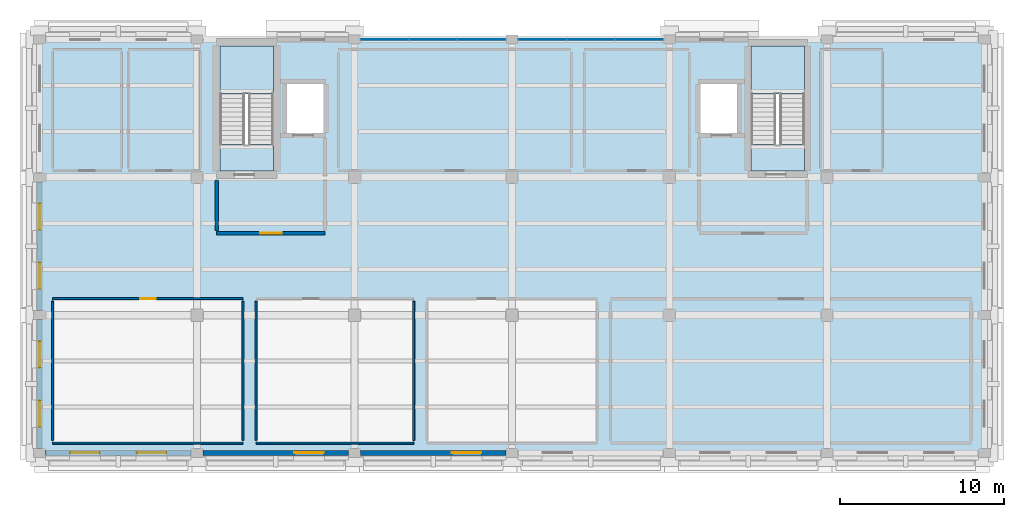
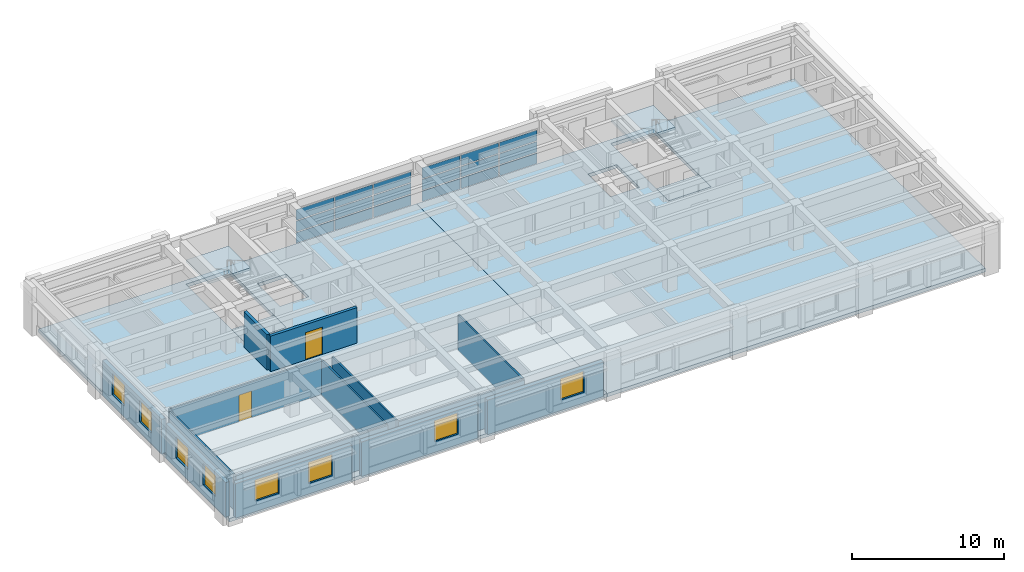
# One storey, part 5 of 12: 18 plates, 14 walls, 8 windows, 6 slabs, 2 doors, 10 openings, 4 elements without a shape of their own.
"""IFC4 building model written with IfcOpenShell, lengths in metres."""

from ifc_helpers import new_model, si_unit, direction, frame, frame_2d, origin, origin_2d, place, context, subcontext, project, spatial, polyline, rectangle, outline, extrude, material, layer, layer_set, type_object, element, fill, aggregate, save


model = new_model("IFC4")

# Units and contexts
model_context = context("Model", 3, precision=1e-05, world=origin(), true_north=direction((0.0, 1.0)))
body_context = subcontext(model_context, "Body", "Model", "MODEL_VIEW")
ifc_project = project(units=[si_unit("LENGTHUNIT", "METRE"), si_unit("AREAUNIT", "SQUARE_METRE"), si_unit("VOLUMEUNIT", "CUBIC_METRE"), si_unit("PLANEANGLEUNIT", "RADIAN"), si_unit("MASSUNIT", "GRAM", prefix="KILO")], contexts=[model_context])

# Site, building, storey
site_placement = place(None, origin())
site = spatial("IfcSite", under=ifc_project, at=site_placement, CompositionType="ELEMENT")
building_placement = place(site_placement, origin())
building = spatial("IfcBuilding", under=site, at=building_placement, Name="Bempovik Park Faculty of Sciences", CompositionType="ELEMENT")
storey_placement = place(building_placement, frame((0.0, 0.0, 34.5)))
storey = spatial("IfcBuildingStorey", under=building, at=storey_placement, Name="L08", CompositionType="ELEMENT", Elevation=34.5)

# Curtain wall, plates
ifc_material_1 = material(Name="Tempered laminated low-E glass", Category="glass")
ifc_layer_1 = layer(ifc_material_1, 0.159912109375)
ifc_layer_set_1 = layer_set([ifc_layer_1], Name="Tempered laminated low-E glass")
curtain_wall_type = type_object("IfcCurtainWallType", Name="CW-24 Curtain 7000x3500", PredefinedType="USERDEFINED", material=ifc_layer_set_1)
curtain_wall_1_placement = place(storey_placement, origin())
curtain_wall_1 = element("IfcCurtainWall", 1, at=curtain_wall_1_placement, inside=storey, type_object=curtain_wall_type, Name="L08 Unitised Curtain Wall (119.4,79.2)", ObjectType="UNITISED CURTAIN WALL", PredefinedType="USERDEFINED")
ifc_layer_2 = layer(ifc_material_1, 0.028076171875)
ifc_layer_set_2 = layer_set([ifc_layer_2], Name="Tempered laminated low-E glass")
plate_type_1 = type_object("IfcPlateType", Name="CP-20 Curtain Panel 28mm", PredefinedType="CURTAIN_PANEL", material=ifc_layer_set_2)
plate_1_placement = place(storey_placement, frame((81.05126953125, 119.39990234375, 0.966552734375), z_axis=(0.0, 0.0, 1.0), x_axis=(1.0, 0.0, 0.0)))
plate_1 = element("IfcPlate", 2, at=plate_1_placement, type_object=plate_type_1, Name="CW-BAY-L08-1194-792 Panel 0-1", PredefinedType="CURTAIN_PANEL", context=body_context, shape_type="SweptSolid", body=[
    extrude(rectangle(XDim=2.86865234375, YDim=0.035888671875, at=origin_2d()), origin(), (0.0, 0.0, 1.0), 0.8466796875),
])
plate_2_placement = place(storey_placement, frame((81.05126953125, 119.39990234375, 1.893310546875), z_axis=(0.0, 0.0, 1.0), x_axis=(1.0, 0.0, 0.0)))
plate_2 = element("IfcPlate", 3, at=plate_2_placement, type_object=plate_type_1, Name="CW-BAY-L08-1194-792 Panel 0-2", PredefinedType="CURTAIN_PANEL", context=body_context, shape_type="SweptSolid", body=[
    extrude(rectangle(XDim=2.86865234375, YDim=0.035888671875, at=origin_2d()), origin(), (0.0, 0.0, 1.0), 0.8466796875),
])
plate_3_placement = place(storey_placement, frame((84.0, 119.39990234375, 0.966552734375), z_axis=(0.0, 0.0, 1.0), x_axis=(1.0, 0.0, 0.0)))
plate_3 = element("IfcPlate", 4, at=plate_3_placement, type_object=plate_type_1, Name="CW-BAY-L08-1194-792 Panel 1-1", PredefinedType="CURTAIN_PANEL", context=body_context, shape_type="SweptSolid", body=[
    extrude(rectangle(XDim=2.86865234375, YDim=0.035888671875, at=origin_2d()), origin(), (0.0, 0.0, 1.0), 0.8466796875),
])
plate_4_placement = place(storey_placement, frame((84.0, 119.39990234375, 1.893310546875), z_axis=(0.0, 0.0, 1.0), x_axis=(1.0, 0.0, 0.0)))
plate_4 = element("IfcPlate", 5, at=plate_4_placement, type_object=plate_type_1, Name="CW-BAY-L08-1194-792 Panel 1-2", PredefinedType="CURTAIN_PANEL", context=body_context, shape_type="SweptSolid", body=[
    extrude(rectangle(XDim=2.86865234375, YDim=0.035888671875, at=origin_2d()), origin(), (0.0, 0.0, 1.0), 0.8466796875),
])
plate_5_placement = place(storey_placement, frame((86.94873046875, 119.39990234375, 0.966552734375), z_axis=(0.0, 0.0, 1.0), x_axis=(1.0, 0.0, 0.0)))
plate_5 = element("IfcPlate", 6, at=plate_5_placement, type_object=plate_type_1, Name="CW-BAY-L08-1194-792 Panel 2-1", PredefinedType="CURTAIN_PANEL", context=body_context, shape_type="SweptSolid", body=[
    extrude(rectangle(XDim=2.86865234375, YDim=0.035888671875, at=origin_2d()), origin(), (0.0, 0.0, 1.0), 0.8466796875),
])
plate_6_placement = place(storey_placement, frame((86.94873046875, 119.39990234375, 1.893310546875), z_axis=(0.0, 0.0, 1.0), x_axis=(1.0, 0.0, 0.0)))
plate_6 = element("IfcPlate", 7, at=plate_6_placement, type_object=plate_type_1, Name="CW-BAY-L08-1194-792 Panel 2-2", PredefinedType="CURTAIN_PANEL", context=body_context, shape_type="SweptSolid", body=[
    extrude(rectangle(XDim=2.86865234375, YDim=0.035888671875, at=origin_2d()), origin(), (0.0, 0.0, 1.0), 0.8466796875),
])

curtain_wall_2_placement = place(storey_placement, origin())
curtain_wall_2 = element("IfcCurtainWall", 8, at=curtain_wall_2_placement, inside=storey, type_object=curtain_wall_type, Name="L08 Unitised Curtain Wall (119.4,88.8)", ObjectType="UNITISED CURTAIN WALL", PredefinedType="USERDEFINED")
plate_7_placement = place(storey_placement, frame((90.6513671875, 119.39990234375, 0.966552734375), z_axis=(0.0, 0.0, 1.0), x_axis=(1.0, 0.0, 0.0)))
plate_7 = element("IfcPlate", 9, at=plate_7_placement, type_object=plate_type_1, Name="CW-BAY-L08-1194-888 Panel 0-1", PredefinedType="CURTAIN_PANEL", context=body_context, shape_type="SweptSolid", body=[
    extrude(rectangle(XDim=2.86865234375, YDim=0.035888671875, at=origin_2d()), origin(), (0.0, 0.0, 1.0), 0.8466796875),
])
plate_8_placement = place(storey_placement, frame((90.6513671875, 119.39990234375, 1.893310546875), z_axis=(0.0, 0.0, 1.0), x_axis=(1.0, 0.0, 0.0)))
plate_8 = element("IfcPlate", 10, at=plate_8_placement, type_object=plate_type_1, Name="CW-BAY-L08-1194-888 Panel 0-2", PredefinedType="CURTAIN_PANEL", context=body_context, shape_type="SweptSolid", body=[
    extrude(rectangle(XDim=2.86865234375, YDim=0.035888671875, at=origin_2d()), origin(), (0.0, 0.0, 1.0), 0.8466796875),
])
plate_9_placement = place(storey_placement, frame((93.60009765625, 119.39990234375, 0.966552734375), z_axis=(0.0, 0.0, 1.0), x_axis=(1.0, 0.0, 0.0)))
plate_9 = element("IfcPlate", 11, at=plate_9_placement, type_object=plate_type_1, Name="CW-BAY-L08-1194-888 Panel 1-1", PredefinedType="CURTAIN_PANEL", context=body_context, shape_type="SweptSolid", body=[
    extrude(rectangle(XDim=2.86865234375, YDim=0.035888671875, at=origin_2d()), origin(), (0.0, 0.0, 1.0), 0.8466796875),
])
plate_10_placement = place(storey_placement, frame((93.60009765625, 119.39990234375, 1.893310546875), z_axis=(0.0, 0.0, 1.0), x_axis=(1.0, 0.0, 0.0)))
plate_10 = element("IfcPlate", 12, at=plate_10_placement, type_object=plate_type_1, Name="CW-BAY-L08-1194-888 Panel 1-2", PredefinedType="CURTAIN_PANEL", context=body_context, shape_type="SweptSolid", body=[
    extrude(rectangle(XDim=2.86865234375, YDim=0.035888671875, at=origin_2d()), origin(), (0.0, 0.0, 1.0), 0.8466796875),
])
plate_11_placement = place(storey_placement, frame((96.548583984375, 119.39990234375, 0.966552734375), z_axis=(0.0, 0.0, 1.0), x_axis=(1.0, 0.0, 0.0)))
plate_11 = element("IfcPlate", 13, at=plate_11_placement, type_object=plate_type_1, Name="CW-BAY-L08-1194-888 Panel 2-1", PredefinedType="CURTAIN_PANEL", context=body_context, shape_type="SweptSolid", body=[
    extrude(rectangle(XDim=2.86865234375, YDim=0.035888671875, at=origin_2d()), origin(), (0.0, 0.0, 1.0), 0.8466796875),
])
plate_12_placement = place(storey_placement, frame((96.548583984375, 119.39990234375, 1.893310546875), z_axis=(0.0, 0.0, 1.0), x_axis=(1.0, 0.0, 0.0)))
plate_12 = element("IfcPlate", 14, at=plate_12_placement, type_object=plate_type_1, Name="CW-BAY-L08-1194-888 Panel 2-2", PredefinedType="CURTAIN_PANEL", context=body_context, shape_type="SweptSolid", body=[
    extrude(rectangle(XDim=2.86865234375, YDim=0.035888671875, at=origin_2d()), origin(), (0.0, 0.0, 1.0), 0.8466796875),
])

# Plate
ifc_material_2 = material(Name="Anodised architectural bronze")
ifc_layer_3 = layer(ifc_material_2, 0.048095703125)
ifc_layer_set_3 = layer_set([ifc_layer_3], Name="Anodised architectural bronze")
plate_type_2 = type_object("IfcPlateType", Name="CP-24 Curtain Panel 48mm", PredefinedType="CURTAIN_PANEL", material=ifc_layer_set_3)
plate_13_placement = place(storey_placement, frame((81.05126953125, 119.39990234375, 0.0400390625), z_axis=(0.0, 0.0, 1.0), x_axis=(1.0, 0.0, 0.0)))
plate_13 = element("IfcPlate", 15, at=plate_13_placement, type_object=plate_type_2, Name="CW-BAY-L08-1194-792 Panel 0-0", PredefinedType="CURTAIN_PANEL", context=body_context, shape_type="SweptSolid", body=[
    extrude(rectangle(XDim=2.86865234375, YDim=0.035888671875, at=origin_2d()), origin(), (0.0, 0.0, 1.0), 0.8466796875),
])

plate_14_placement = place(storey_placement, frame((84.0, 119.39990234375, 0.0400390625), z_axis=(0.0, 0.0, 1.0), x_axis=(1.0, 0.0, 0.0)))
plate_14 = element("IfcPlate", 16, at=plate_14_placement, type_object=plate_type_2, Name="CW-BAY-L08-1194-792 Panel 1-0", PredefinedType="CURTAIN_PANEL", context=body_context, shape_type="SweptSolid", body=[
    extrude(rectangle(XDim=2.86865234375, YDim=0.035888671875, at=origin_2d()), origin(), (0.0, 0.0, 1.0), 0.8466796875),
])

plate_15_placement = place(storey_placement, frame((86.94873046875, 119.39990234375, 0.0400390625), z_axis=(0.0, 0.0, 1.0), x_axis=(1.0, 0.0, 0.0)))
plate_15 = element("IfcPlate", 17, at=plate_15_placement, type_object=plate_type_2, Name="CW-BAY-L08-1194-792 Panel 2-0", PredefinedType="CURTAIN_PANEL", context=body_context, shape_type="SweptSolid", body=[
    extrude(rectangle(XDim=2.86865234375, YDim=0.035888671875, at=origin_2d()), origin(), (0.0, 0.0, 1.0), 0.8466796875),
])

aggregate(curtain_wall_1, [plate_13, plate_1, plate_2, plate_14, plate_3, plate_4, plate_15, plate_5, plate_6])

plate_16_placement = place(storey_placement, frame((90.6513671875, 119.39990234375, 0.0400390625), z_axis=(0.0, 0.0, 1.0), x_axis=(1.0, 0.0, 0.0)))
plate_16 = element("IfcPlate", 18, at=plate_16_placement, type_object=plate_type_2, Name="CW-BAY-L08-1194-888 Panel 0-0", PredefinedType="CURTAIN_PANEL", context=body_context, shape_type="SweptSolid", body=[
    extrude(rectangle(XDim=2.86865234375, YDim=0.035888671875, at=origin_2d()), origin(), (0.0, 0.0, 1.0), 0.8466796875),
])

plate_17_placement = place(storey_placement, frame((93.60009765625, 119.39990234375, 0.0400390625), z_axis=(0.0, 0.0, 1.0), x_axis=(1.0, 0.0, 0.0)))
plate_17 = element("IfcPlate", 19, at=plate_17_placement, type_object=plate_type_2, Name="CW-BAY-L08-1194-888 Panel 1-0", PredefinedType="CURTAIN_PANEL", context=body_context, shape_type="SweptSolid", body=[
    extrude(rectangle(XDim=2.86865234375, YDim=0.035888671875, at=origin_2d()), origin(), (0.0, 0.0, 1.0), 0.8466796875),
])

plate_18_placement = place(storey_placement, frame((96.548583984375, 119.39990234375, 0.0400390625), z_axis=(0.0, 0.0, 1.0), x_axis=(1.0, 0.0, 0.0)))
plate_18 = element("IfcPlate", 20, at=plate_18_placement, type_object=plate_type_2, Name="CW-BAY-L08-1194-888 Panel 2-0", PredefinedType="CURTAIN_PANEL", context=body_context, shape_type="SweptSolid", body=[
    extrude(rectangle(XDim=2.86865234375, YDim=0.035888671875, at=origin_2d()), origin(), (0.0, 0.0, 1.0), 0.8466796875),
])

aggregate(curtain_wall_2, [plate_16, plate_7, plate_8, plate_17, plate_9, plate_10, plate_18, plate_11, plate_12])

# Slabs
ifc_material_3 = material(Name="Concrete C35/45", Category="concrete")
ifc_layer_4 = layer(ifc_material_3, 0.280029296875)
ifc_layer_set_4 = layer_set([ifc_layer_4], Name="Concrete C35/45")
slab_type_1 = type_object("IfcSlabType", Name="S-32 Slab 280mm", PredefinedType="FLOOR", material=ifc_layer_set_4)
slab_1_placement = place(storey_placement, frame((0.0, 0.0, -0.280029296875)))
element("IfcSlab", 21, at=slab_1_placement, inside=storey, type_object=slab_type_1, Name="L08 North Research Tower Floor Slab (W)", PredefinedType="FLOOR", context=body_context, shape_type="SweptSolid", body=[
    extrude(outline(polyline([(60.0, 94.199951171875), (88.800048828125, 94.199951171875), (88.800048828125, 119.39990234375), (60.0, 119.39990234375), (60.0, 94.199951171875)]), holes=[polyline([(71.0, 111.375), (74.25, 111.375), (74.25, 119.0), (71.0, 119.0), (71.0, 111.375)]), polyline([(75.10009765625, 113.699951171875), (77.300048828125, 113.699951171875), (77.300048828125, 116.699951171875), (75.10009765625, 116.699951171875), (75.10009765625, 113.699951171875)])]), origin(), (0.0, 0.0, 1.0), 0.280029296875),
])
slab_2_placement = place(storey_placement, frame((0.0, 0.0, -0.280029296875)))
element("IfcSlab", 22, at=slab_2_placement, inside=storey, type_object=slab_type_1, Name="L08 North Research Tower Floor Slab (E)", PredefinedType="FLOOR", context=body_context, shape_type="SweptSolid", body=[
    extrude(outline(polyline([(88.800048828125, 94.199951171875), (117.60009765625, 94.199951171875), (117.60009765625, 119.39990234375), (88.800048828125, 119.39990234375), (88.800048828125, 94.199951171875)]), holes=[polyline([(103.375, 111.375), (106.625, 111.375), (106.625, 119.0), (103.375, 119.0), (103.375, 111.375)]), polyline([(100.300048828125, 113.699951171875), (102.5, 113.699951171875), (102.5, 116.699951171875), (100.300048828125, 116.699951171875), (100.300048828125, 113.699951171875)])]), origin(), (0.0, 0.0, 1.0), 0.280029296875),
])

# Stair, slab
stair_type = type_object("IfcStairType", Name="ST-17 Stair W1500 H3900", PredefinedType="HALF_TURN_STAIR", material=ifc_material_3)
stair_1_placement = place(storey_placement, origin())
stair_1 = element("IfcStair", 23, at=stair_1_placement, inside=storey, type_object=stair_type, Name="L08 ST-1 Dog-Leg Exit Stair", PredefinedType="HALF_TURN_STAIR")
ifc_layer_5 = layer(ifc_material_3, 0.199951171875)
ifc_layer_set_5 = layer_set([ifc_layer_5], Name="Concrete C35/45")
slab_type_2 = type_object("IfcSlabType", Name="S-41 Slab 200mm", PredefinedType="LANDING", material=ifc_layer_set_5)
slab_3_placement = place(storey_placement, frame((0.0, 0.0, 1.75)))
slab_3 = element("IfcSlab", 24, at=slab_3_placement, type_object=slab_type_2, Name="ST-17 landing 1", PredefinedType="LANDING", context=body_context, shape_type="SweptSolid", body=[
    extrude(outline(polyline([(74.25, 116.09375), (74.25, 119.0), (71.0, 119.0), (71.0, 116.09375), (74.25, 116.09375)])), origin(), (0.0, 0.0, 1.0), 0.199951171875),
])
aggregate(stair_1, [slab_3])

# Slab
slab_4_placement = place(storey_placement, frame((0.0, 0.0, -0.280029296875)))
element("IfcSlab", 25, at=slab_4_placement, inside=storey, type_object=slab_type_2, Name="L08 ST-1 Floor Landing Slab", PredefinedType="LANDING", context=body_context, shape_type="SweptSolid", body=[
    extrude(outline(polyline([(74.25, 111.375), (74.25, 113.0), (71.0, 113.0), (71.0, 111.375), (74.25, 111.375)])), origin(), (0.0, 0.0, 1.0), 0.280029296875),
])

# Stair, slab
stair_2_placement = place(storey_placement, origin())
stair_2 = element("IfcStair", 26, at=stair_2_placement, inside=storey, type_object=stair_type, Name="L08 ST-2 Dog-Leg Exit Stair", PredefinedType="HALF_TURN_STAIR")
slab_5_placement = place(storey_placement, frame((0.0, 0.0, 1.75)))
slab_5 = element("IfcSlab", 27, at=slab_5_placement, type_object=slab_type_2, Name="ST-17 landing 1", PredefinedType="LANDING", context=body_context, shape_type="SweptSolid", body=[
    extrude(outline(polyline([(106.625, 116.09375), (106.625, 119.0), (103.375, 119.0), (103.375, 116.09375), (106.625, 116.09375)])), origin(), (0.0, 0.0, 1.0), 0.199951171875),
])
aggregate(stair_2, [slab_5])

# Slab
slab_6_placement = place(storey_placement, frame((0.0, 0.0, -0.280029296875)))
element("IfcSlab", 28, at=slab_6_placement, inside=storey, type_object=slab_type_2, Name="L08 ST-2 Floor Landing Slab", PredefinedType="LANDING", context=body_context, shape_type="SweptSolid", body=[
    extrude(outline(polyline([(106.625, 111.375), (106.625, 113.0), (103.375, 113.0), (103.375, 111.375), (106.625, 111.375)])), origin(), (0.0, 0.0, 1.0), 0.280029296875),
])

# Wall
ifc_material_4 = material(Name="Gypsum acoustic stud assembly")
ifc_layer_6 = layer(ifc_material_4, 0.1201171875)
ifc_layer_set_6 = layer_set([ifc_layer_6], Name="Gypsum acoustic stud assembly")
wall_type_1 = type_object("IfcWallType", Name="W-17 Wall 120mm", PredefinedType="PARTITIONING", material=ifc_layer_set_6)
wall_1_placement = place(storey_placement, frame((60.800048828125, 94.800048828125, 0.0), z_axis=(0.0, 0.0, 1.0), x_axis=(1.0, 0.0, 0.0)))
element("IfcWall", 29, at=wall_1_placement, inside=storey, type_object=wall_type_1, Name="L08 Geophysics Academic Staff Offices West Partition South", PredefinedType="PARTITIONING", context=body_context, shape_type="SweptSolid", body=[
    extrude(rectangle(XDim=11.599853515625, YDim=0.1201171875, at=frame_2d((5.7998046875, 0.0))), origin(), (0.0, 0.0, 1.0), 2.85009765625),
])

# Wall, opening, door
wall_2_placement = place(storey_placement, frame((60.800048828125, 103.60009765625, 0.0), z_axis=(0.0, 0.0, 1.0), x_axis=(1.0, 0.0, 0.0)))
wall_2 = element("IfcWall", 30, at=wall_2_placement, inside=storey, type_object=wall_type_1, Name="L08 Geophysics Academic Staff Offices West Partition North", PredefinedType="PARTITIONING", context=body_context, shape_type="SweptSolid", body=[
    extrude(rectangle(XDim=11.599853515625, YDim=0.1201171875, at=frame_2d((5.7998046875, 0.0))), origin(), (0.0, 0.0, 1.0), 2.85009765625),
])
opening_1_placement = place(wall_2_placement, frame((5.324951171875, 0.0, 0.0)))
opening_1 = element("IfcOpeningElement", 31, at=opening_1_placement, cuts=wall_2, Name="Opening D-47", PredefinedType="OPENING", context=body_context, shape_type="SweptSolid", body=[
    extrude(rectangle(XDim=0.949951171875, YDim=2.14990234375, at=frame_2d((0.47509765625, 1.074951171875))), frame((0.0, 0.070068359375, 0.0), z_axis=(0.0, -1.0, 0.0), x_axis=(1.0, 0.0, 0.0)), (0.0, 0.0, 1.0), 0.14013671875),
])
ifc_material_5 = material(Name="West African hardwood finish", Category="wood")
door_type_1 = type_object("IfcDoorType", Name="D-47 Door 950x2150", OperationType="NOTDEFINED", PredefinedType="DOOR", material=ifc_material_5)
door_1_placement = place(opening_1_placement, origin())
door_1 = element("IfcDoor", 32, at=door_1_placement, inside=storey, type_object=door_type_1, Name="L08 Geophysics Academic Staff Offices West Door", OperationType="SINGLE_SWING_LEFT", OverallHeight=2.14990234375, OverallWidth=0.949951171875, PredefinedType="DOOR", context=body_context, shape_type="SweptSolid", body=[
    extrude(rectangle(XDim=0.949951171875, YDim=2.14990234375, at=frame_2d((0.47509765625, 1.074951171875))), frame((0.0, 0.02490234375, 0.0), z_axis=(0.0, -1.0, 0.0), x_axis=(1.0, 0.0, 0.0)), (0.0, 0.0, 1.0), 0.050048828125),
])
fill(opening_1, door_1)

# Walls
for number, where, z_axis, x_axis, name in (
    (33, (60.800048828125, 94.9599609375, 0.0), (0.0, 0.0, 1.0), (0.0, 1.0, 0.0), "L08 Geophysics Academic Staff Offices West Partition West"),
    (34, (72.39990234375, 94.9599609375, 0.0), (0.0, 0.0, 1.0), (0.0, 1.0, 0.0), "L08 Geophysics Academic Staff Offices West Partition East"),
):
    element("IfcWall", number, at=place(storey_placement, frame(where, z_axis=z_axis, x_axis=x_axis)), inside=storey, type_object=wall_type_1, Name=name, PredefinedType="PARTITIONING", context=body_context, shape_type="SweptSolid", body=[
        extrude(rectangle(XDim=8.47998046875, YDim=0.1201171875, at=frame_2d((4.239990234375, 0.0))), origin(), (0.0, 0.0, 1.0), 2.85009765625),
    ])
wall_3_placement = place(storey_placement, frame((73.199951171875, 94.800048828125, 0.0), z_axis=(0.0, 0.0, 1.0), x_axis=(1.0, 0.0, 0.0)))
element("IfcWall", 35, at=wall_3_placement, inside=storey, type_object=wall_type_1, Name="L08 Hydrology Academic Staff Offices Partition South", PredefinedType="PARTITIONING", context=body_context, shape_type="SweptSolid", body=[
    extrude(rectangle(XDim=9.60009765625, YDim=0.1201171875, at=frame_2d((4.800048828125, 0.0))), origin(), (0.0, 0.0, 1.0), 2.85009765625),
])
for number, where, z_axis, x_axis, name in (
    (36, (73.199951171875, 94.9599609375, 0.0), (0.0, 0.0, 1.0), (0.0, 1.0, 0.0), "L08 Hydrology Academic Staff Offices Partition West"),
    (37, (82.800048828125, 94.9599609375, 0.0), (0.0, 0.0, 1.0), (0.0, 1.0, 0.0), "L08 Hydrology Academic Staff Offices Partition East"),
):
    element("IfcWall", number, at=place(storey_placement, frame(where, z_axis=z_axis, x_axis=x_axis)), inside=storey, type_object=wall_type_1, Name=name, PredefinedType="PARTITIONING", context=body_context, shape_type="SweptSolid", body=[
        extrude(rectangle(XDim=8.47998046875, YDim=0.1201171875, at=frame_2d((4.239990234375, 0.0))), origin(), (0.0, 0.0, 1.0), 2.85009765625),
    ])

# Wall, opening, door
ifc_layer_7 = layer(ifc_material_3, 0.219970703125)
ifc_layer_set_7 = layer_set([ifc_layer_7], Name="Concrete C35/45")
wall_type_2 = type_object("IfcWallType", Name="W-38 Wall 220mm", PredefinedType="PARTITIONING", material=ifc_layer_set_7)
wall_4_placement = place(storey_placement, frame((70.800048828125, 107.60009765625, 0.0), z_axis=(0.0, 0.0, 1.0), x_axis=(1.0, 0.0, 0.0)))
wall_4 = element("IfcWall", 38, at=wall_4_placement, inside=storey, type_object=wall_type_2, Name="L08 Firefighting Lift Lobby West Partition South", PredefinedType="PARTITIONING", context=body_context, shape_type="SweptSolid", body=[
    extrude(rectangle(XDim=6.599853515625, YDim=0.219970703125, at=frame_2d((3.2998046875, 0.0))), origin(), (0.0, 0.0, 1.0), 2.85009765625),
])
opening_2_placement = place(wall_4_placement, frame((2.64990234375, 0.0, 0.0)))
opening_2 = element("IfcOpeningElement", 39, at=opening_2_placement, cuts=wall_4, Name="Opening D-38", PredefinedType="OPENING", context=body_context, shape_type="SweptSolid", body=[
    extrude(rectangle(XDim=1.300048828125, YDim=2.199951171875, at=frame_2d((0.64990234375, 1.10009765625))), frame((0.0, 0.1201171875, 0.0), z_axis=(0.0, -1.0, 0.0), x_axis=(1.0, 0.0, 0.0)), (0.0, 0.0, 1.0), 0.239990234375),
])
ifc_material_6 = material(Name="Painted steel S355", Category="steel")
door_type_2 = type_object("IfcDoorType", Name="D-38 Door 1300x2200", OperationType="NOTDEFINED", PredefinedType="DOOR", material=ifc_material_6)
door_2_placement = place(opening_2_placement, origin())
door_2 = element("IfcDoor", 40, at=door_2_placement, inside=storey, type_object=door_type_2, Name="L08 Firefighting Lift Lobby West Door", OperationType="SINGLE_SWING_RIGHT", OverallHeight=2.199951171875, OverallWidth=1.300048828125, PredefinedType="DOOR", context=body_context, shape_type="SweptSolid", body=[
    extrude(rectangle(XDim=1.300048828125, YDim=2.199951171875, at=frame_2d((0.64990234375, 1.10009765625))), frame((0.0, 0.02490234375, 0.0), z_axis=(0.0, -1.0, 0.0), x_axis=(1.0, 0.0, 0.0)), (0.0, 0.0, 1.0), 0.050048828125),
])
fill(opening_2, door_2)

# Wall
wall_5_placement = place(storey_placement, frame((70.800048828125, 107.760009765625, 0.0), z_axis=(0.0, 0.0, 1.0), x_axis=(0.0, 1.0, 0.0)))
element("IfcWall", 41, at=wall_5_placement, inside=storey, type_object=wall_type_2, Name="L08 Firefighting Lift Lobby West Partition West", PredefinedType="PARTITIONING", context=body_context, shape_type="SweptSolid", body=[
    extrude(rectangle(XDim=3.080078125, YDim=0.219970703125, at=frame_2d((1.5400390625, 0.0))), origin(), (0.0, 0.0, 1.0), 2.85009765625),
])

# Wall, openings, windows
ifc_material_7 = material(Name="Precast concrete C40/50", Category="concrete")
ifc_layer_8 = layer(ifc_material_7, 0.320068359375)
ifc_layer_set_8 = layer_set([ifc_layer_8], Name="Precast concrete C40/50")
wall_type_3 = type_object("IfcWallType", Name="W-56 Wall 320mm", PredefinedType="SOLIDWALL", material=ifc_layer_set_8)
wall_6_placement = place(storey_placement, frame((60.0, 94.47705078125, 0.0), z_axis=(0.0, 0.0, 1.0), x_axis=(0.0, 1.0, 0.0)))
wall_6 = element("IfcWall", 42, at=wall_6_placement, inside=storey, type_object=wall_type_3, Name="L08 Classical Precast Facade Wall EW-L08-10888", PredefinedType="SOLIDWALL", context=body_context, shape_type="SweptSolid", body=[
    extrude(rectangle(XDim=7.845947265625, YDim=0.320068359375, at=frame_2d((3.9228515625, 0.0))), origin(), (0.0, 0.0, 1.0), 2.780029296875),
])
opening_3_placement = place(wall_6_placement, frame((1.318359375, 0.0, 0.85009765625)))
opening_3 = element("IfcOpeningElement", 43, at=opening_3_placement, cuts=wall_6, Name="Opening WN-88", PredefinedType="OPENING", context=body_context, shape_type="SweptSolid", body=[
    extrude(rectangle(XDim=1.60009765625, YDim=1.699951171875, at=frame_2d((0.800048828125, 0.85009765625))), frame((0.0, 0.169921875, 0.0), z_axis=(0.0, -1.0, 0.0), x_axis=(1.0, 0.0, 0.0)), (0.0, 0.0, 1.0), 0.340087890625),
])
opening_4_placement = place(wall_6_placement, frame((4.927490234375, 0.0, 0.85009765625)))
opening_4 = element("IfcOpeningElement", 44, at=opening_4_placement, cuts=wall_6, Name="Opening WN-88", PredefinedType="OPENING", context=body_context, shape_type="SweptSolid", body=[
    extrude(rectangle(XDim=1.60009765625, YDim=1.699951171875, at=frame_2d((0.800048828125, 0.85009765625))), frame((0.0, 0.169921875, 0.0), z_axis=(0.0, -1.0, 0.0), x_axis=(1.0, 0.0, 0.0)), (0.0, 0.0, 1.0), 0.340087890625),
])
window_type_1 = type_object("IfcWindowType", Name="WN-88 Window 1600x1700", PartitioningType="SINGLE_PANEL", PredefinedType="WINDOW", material=ifc_material_1)
window_1_placement = place(opening_3_placement, origin())
window_1 = element("IfcWindow", 45, at=window_1_placement, inside=storey, type_object=window_type_1, Name="L08 Window EW-L08-10888-1", OverallHeight=1.699951171875, OverallWidth=1.60009765625, PartitioningType="SINGLE_PANEL", PredefinedType="WINDOW", context=body_context, shape_type="SweptSolid", body=[
    extrude(rectangle(XDim=1.60009765625, YDim=1.699951171875, at=frame_2d((0.800048828125, 0.85009765625))), frame((0.0, 0.030029296875, 0.0), z_axis=(0.0, -1.0, 0.0), x_axis=(1.0, 0.0, 0.0)), (0.0, 0.0, 1.0), 0.06005859375),
])
fill(opening_3, window_1)
window_2_placement = place(opening_4_placement, origin())
window_2 = element("IfcWindow", 46, at=window_2_placement, inside=storey, type_object=window_type_1, Name="L08 Window EW-L08-10888-2", OverallHeight=1.699951171875, OverallWidth=1.60009765625, PartitioningType="SINGLE_PANEL", PredefinedType="WINDOW", context=body_context, shape_type="SweptSolid", body=[
    extrude(rectangle(XDim=1.60009765625, YDim=1.699951171875, at=frame_2d((0.800048828125, 0.85009765625))), frame((0.0, 0.030029296875, 0.0), z_axis=(0.0, -1.0, 0.0), x_axis=(1.0, 0.0, 0.0)), (0.0, 0.0, 1.0), 0.06005859375),
])
fill(opening_4, window_2)

wall_7_placement = place(storey_placement, frame((60.0, 102.876953125, 0.0), z_axis=(0.0, 0.0, 1.0), x_axis=(0.0, 1.0, 0.0)))
wall_7 = element("IfcWall", 47, at=wall_7_placement, inside=storey, type_object=wall_type_3, Name="L08 Classical Precast Facade Wall EW-L08-10902", PredefinedType="SOLIDWALL", context=body_context, shape_type="SweptSolid", body=[
    extrude(rectangle(XDim=7.845947265625, YDim=0.320068359375, at=frame_2d((3.9228515625, 0.0))), origin(), (0.0, 0.0, 1.0), 2.780029296875),
])
opening_5_placement = place(wall_7_placement, frame((1.318359375, 0.0, 0.85009765625)))
opening_5 = element("IfcOpeningElement", 48, at=opening_5_placement, cuts=wall_7, Name="Opening WN-88", PredefinedType="OPENING", context=body_context, shape_type="SweptSolid", body=[
    extrude(rectangle(XDim=1.60009765625, YDim=1.699951171875, at=frame_2d((0.800048828125, 0.85009765625))), frame((0.0, 0.169921875, 0.0), z_axis=(0.0, -1.0, 0.0), x_axis=(1.0, 0.0, 0.0)), (0.0, 0.0, 1.0), 0.340087890625),
])
opening_6_placement = place(wall_7_placement, frame((4.927490234375, 0.0, 0.85009765625)))
opening_6 = element("IfcOpeningElement", 49, at=opening_6_placement, cuts=wall_7, Name="Opening WN-88", PredefinedType="OPENING", context=body_context, shape_type="SweptSolid", body=[
    extrude(rectangle(XDim=1.60009765625, YDim=1.699951171875, at=frame_2d((0.800048828125, 0.85009765625))), frame((0.0, 0.169921875, 0.0), z_axis=(0.0, -1.0, 0.0), x_axis=(1.0, 0.0, 0.0)), (0.0, 0.0, 1.0), 0.340087890625),
])
window_3_placement = place(opening_5_placement, origin())
window_3 = element("IfcWindow", 50, at=window_3_placement, inside=storey, type_object=window_type_1, Name="L08 Window EW-L08-10902-1", OverallHeight=1.699951171875, OverallWidth=1.60009765625, PartitioningType="SINGLE_PANEL", PredefinedType="WINDOW", context=body_context, shape_type="SweptSolid", body=[
    extrude(rectangle(XDim=1.60009765625, YDim=1.699951171875, at=frame_2d((0.800048828125, 0.85009765625))), frame((0.0, 0.030029296875, 0.0), z_axis=(0.0, -1.0, 0.0), x_axis=(1.0, 0.0, 0.0)), (0.0, 0.0, 1.0), 0.06005859375),
])
fill(opening_5, window_3)
window_4_placement = place(opening_6_placement, origin())
window_4 = element("IfcWindow", 51, at=window_4_placement, inside=storey, type_object=window_type_1, Name="L08 Window EW-L08-10902-2", OverallHeight=1.699951171875, OverallWidth=1.60009765625, PartitioningType="SINGLE_PANEL", PredefinedType="WINDOW", context=body_context, shape_type="SweptSolid", body=[
    extrude(rectangle(XDim=1.60009765625, YDim=1.699951171875, at=frame_2d((0.800048828125, 0.85009765625))), frame((0.0, 0.030029296875, 0.0), z_axis=(0.0, -1.0, 0.0), x_axis=(1.0, 0.0, 0.0)), (0.0, 0.0, 1.0), 0.06005859375),
])
fill(opening_6, window_4)

wall_8_placement = place(storey_placement, frame((60.376953125, 94.199951171875, 0.0), z_axis=(0.0, 0.0, 1.0), x_axis=(1.0, 0.0, 0.0)))
wall_8 = element("IfcWall", 52, at=wall_8_placement, inside=storey, type_object=wall_type_3, Name="L08 Classical Precast Facade Wall EW-L08-10928", PredefinedType="SOLIDWALL", context=body_context, shape_type="SweptSolid", body=[
    extrude(rectangle(XDim=8.845947265625, YDim=0.320068359375, at=frame_2d((4.4228515625, 0.0))), origin(), (0.0, 0.0, 1.0), 2.780029296875),
])
opening_7_placement = place(wall_8_placement, frame((1.48828125, 0.0, 0.85009765625)))
opening_7 = element("IfcOpeningElement", 53, at=opening_7_placement, cuts=wall_8, Name="Opening WN-94", PredefinedType="OPENING", context=body_context, shape_type="SweptSolid", body=[
    extrude(rectangle(XDim=1.800048828125, YDim=1.699951171875, at=frame_2d((0.89990234375, 0.85009765625))), frame((0.0, 0.169921875, 0.0), z_axis=(0.0, -1.0, 0.0), x_axis=(1.0, 0.0, 0.0)), (0.0, 0.0, 1.0), 0.340087890625),
])
opening_8_placement = place(wall_8_placement, frame((5.5576171875, 0.0, 0.85009765625)))
opening_8 = element("IfcOpeningElement", 54, at=opening_8_placement, cuts=wall_8, Name="Opening WN-94", PredefinedType="OPENING", context=body_context, shape_type="SweptSolid", body=[
    extrude(rectangle(XDim=1.800048828125, YDim=1.699951171875, at=frame_2d((0.89990234375, 0.85009765625))), frame((0.0, 0.169921875, 0.0), z_axis=(0.0, -1.0, 0.0), x_axis=(1.0, 0.0, 0.0)), (0.0, 0.0, 1.0), 0.340087890625),
])
window_type_2 = type_object("IfcWindowType", Name="WN-94 Window 1800x1700", PartitioningType="SINGLE_PANEL", PredefinedType="WINDOW", material=ifc_material_1)
window_5_placement = place(opening_7_placement, origin())
window_5 = element("IfcWindow", 55, at=window_5_placement, inside=storey, type_object=window_type_2, Name="L08 Window EW-L08-10928-1", OverallHeight=1.699951171875, OverallWidth=1.800048828125, PartitioningType="SINGLE_PANEL", PredefinedType="WINDOW", context=body_context, shape_type="SweptSolid", body=[
    extrude(rectangle(XDim=1.800048828125, YDim=1.699951171875, at=frame_2d((0.89990234375, 0.85009765625))), frame((0.0, 0.030029296875, 0.0), z_axis=(0.0, -1.0, 0.0), x_axis=(1.0, 0.0, 0.0)), (0.0, 0.0, 1.0), 0.06005859375),
])
fill(opening_7, window_5)
window_6_placement = place(opening_8_placement, origin())
window_6 = element("IfcWindow", 56, at=window_6_placement, inside=storey, type_object=window_type_2, Name="L08 Window EW-L08-10928-2", OverallHeight=1.699951171875, OverallWidth=1.800048828125, PartitioningType="SINGLE_PANEL", PredefinedType="WINDOW", context=body_context, shape_type="SweptSolid", body=[
    extrude(rectangle(XDim=1.800048828125, YDim=1.699951171875, at=frame_2d((0.89990234375, 0.85009765625))), frame((0.0, 0.030029296875, 0.0), z_axis=(0.0, -1.0, 0.0), x_axis=(1.0, 0.0, 0.0)), (0.0, 0.0, 1.0), 0.06005859375),
])
fill(opening_8, window_6)

# Wall, opening, window
wall_9_placement = place(storey_placement, frame((69.97705078125, 94.199951171875, 0.0), z_axis=(0.0, 0.0, 1.0), x_axis=(1.0, 0.0, 0.0)))
wall_9 = element("IfcWall", 57, at=wall_9_placement, inside=storey, type_object=wall_type_3, Name="L08 Classical Precast Facade Wall EW-L08-10942", PredefinedType="SOLIDWALL", context=body_context, shape_type="SweptSolid", body=[
    extrude(rectangle(XDim=8.845947265625, YDim=0.320068359375, at=frame_2d((4.4228515625, 0.0))), origin(), (0.0, 0.0, 1.0), 2.780029296875),
])
opening_9_placement = place(wall_9_placement, frame((5.5576171875, 0.0, 0.85009765625)))
opening_9 = element("IfcOpeningElement", 58, at=opening_9_placement, cuts=wall_9, Name="Opening WN-94", PredefinedType="OPENING", context=body_context, shape_type="SweptSolid", body=[
    extrude(rectangle(XDim=1.800048828125, YDim=1.699951171875, at=frame_2d((0.89990234375, 0.85009765625))), frame((0.0, 0.169921875, 0.0), z_axis=(0.0, -1.0, 0.0), x_axis=(1.0, 0.0, 0.0)), (0.0, 0.0, 1.0), 0.340087890625),
])
window_7_placement = place(opening_9_placement, origin())
window_7 = element("IfcWindow", 59, at=window_7_placement, inside=storey, type_object=window_type_2, Name="L08 Window EW-L08-10942-2", OverallHeight=1.699951171875, OverallWidth=1.800048828125, PartitioningType="SINGLE_PANEL", PredefinedType="WINDOW", context=body_context, shape_type="SweptSolid", body=[
    extrude(rectangle(XDim=1.800048828125, YDim=1.699951171875, at=frame_2d((0.89990234375, 0.85009765625))), frame((0.0, 0.030029296875, 0.0), z_axis=(0.0, -1.0, 0.0), x_axis=(1.0, 0.0, 0.0)), (0.0, 0.0, 1.0), 0.06005859375),
])
fill(opening_9, window_7)

wall_10_placement = place(storey_placement, frame((79.576904296875, 94.199951171875, 0.0), z_axis=(0.0, 0.0, 1.0), x_axis=(1.0, 0.0, 0.0)))
wall_10 = element("IfcWall", 60, at=wall_10_placement, inside=storey, type_object=wall_type_3, Name="L08 Classical Precast Facade Wall EW-L08-10953", PredefinedType="SOLIDWALL", context=body_context, shape_type="SweptSolid", body=[
    extrude(rectangle(XDim=8.84619140625, YDim=0.320068359375, at=frame_2d((4.423095703125, 0.0))), origin(), (0.0, 0.0, 1.0), 2.780029296875),
])
opening_10_placement = place(wall_10_placement, frame((5.5576171875, 0.0, 0.85009765625)))
opening_10 = element("IfcOpeningElement", 61, at=opening_10_placement, cuts=wall_10, Name="Opening WN-94", PredefinedType="OPENING", context=body_context, shape_type="SweptSolid", body=[
    extrude(rectangle(XDim=1.800048828125, YDim=1.699951171875, at=frame_2d((0.89990234375, 0.85009765625))), frame((0.0, 0.169921875, 0.0), z_axis=(0.0, -1.0, 0.0), x_axis=(1.0, 0.0, 0.0)), (0.0, 0.0, 1.0), 0.340087890625),
])
window_8_placement = place(opening_10_placement, origin())
window_8 = element("IfcWindow", 62, at=window_8_placement, inside=storey, type_object=window_type_2, Name="L08 Window EW-L08-10953-2", OverallHeight=1.699951171875, OverallWidth=1.800048828125, PartitioningType="SINGLE_PANEL", PredefinedType="WINDOW", context=body_context, shape_type="SweptSolid", body=[
    extrude(rectangle(XDim=1.800048828125, YDim=1.699951171875, at=frame_2d((0.89990234375, 0.85009765625))), frame((0.0, 0.030029296875, 0.0), z_axis=(0.0, -1.0, 0.0), x_axis=(1.0, 0.0, 0.0)), (0.0, 0.0, 1.0), 0.06005859375),
])
fill(opening_10, window_8)

save(model, "model.ifc")
